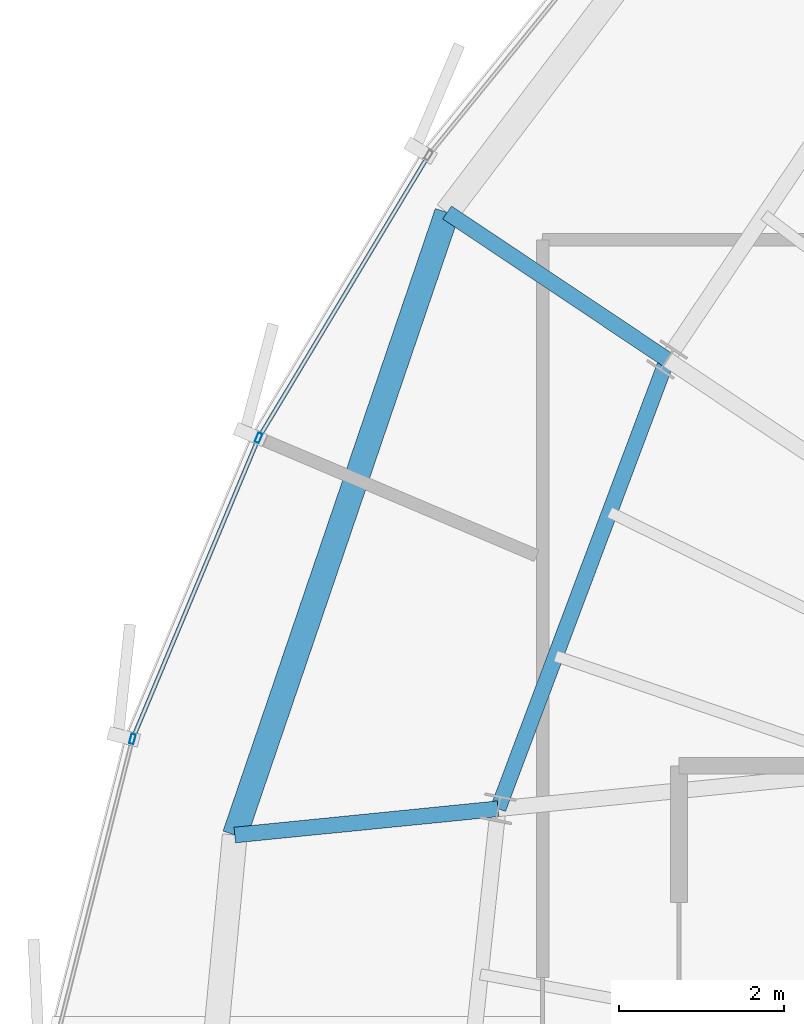
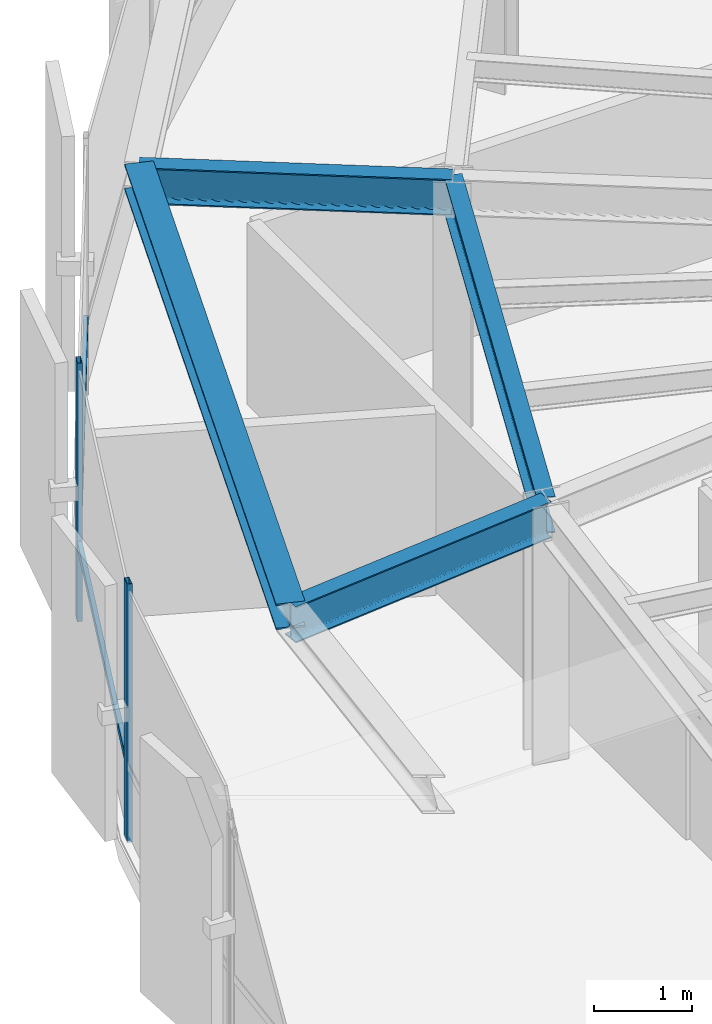
# One storey, part 11 of 33: 4 beams, 4 members, 1 element without a shape of its own.
"""IFC4 building model written with IfcOpenShell, lengths in metres."""

from ifc_helpers import new_model, si_unit, direction, frame, origin, origin_2d, place, context, subcontext, project, spatial, hollow_rectangle, i_section, extrude, source, transform, mapped, material, layer, layer_set, material_profile, profile_set, type_object, element, aggregate, save


model = new_model("IFC4")

# Units and contexts
model_context = context("Model", 3, precision=1e-05, world=origin(), true_north=direction((0.0, 1.0)))
body_context = subcontext(model_context, "Body", "Model", "MODEL_VIEW")
ifc_project = project(units=[si_unit("LENGTHUNIT", "METRE"), si_unit("AREAUNIT", "SQUARE_METRE"), si_unit("VOLUMEUNIT", "CUBIC_METRE"), si_unit("PLANEANGLEUNIT", "RADIAN"), si_unit("MASSUNIT", "GRAM", prefix="KILO"), si_unit("THERMODYNAMICTEMPERATUREUNIT", "KELVIN")], contexts=[model_context])

# Site, building, storey
site_placement = place(None, origin())
site = spatial("IfcSite", under=ifc_project, at=site_placement, CompositionType="ELEMENT")
building_placement = place(site_placement, origin())
building = spatial("IfcBuilding", under=site, at=building_placement, Name="Kethvar Cultural Tower", CompositionType="ELEMENT")
storey_placement = place(building_placement, frame((0.0, 0.0, 256.0)))
storey = spatial("IfcBuildingStorey", under=building, at=storey_placement, Name="L67", CompositionType="ELEMENT", Elevation=256.0)

# Beams
ifc_material_1 = material(Name="Steel S355J2", Category="steel")
ifc_material_profile_1 = material_profile(ifc_material_1, i_section(OverallWidth=0.18994140625, OverallDepth=0.449951171875, WebThickness=0.009521484375, FlangeThickness=0.0146484375, FilletRadius=0.02099609375, at=origin_2d()), Name="Steel S355J2 — IPE450")
ifc_profile_set_1 = profile_set([ifc_material_profile_1], Name="Steel S355J2 — IPE450")
beam_type_1 = type_object("IfcBeamType", Name="BM-IPE450", PredefinedType="BEAM", material=ifc_profile_set_1)
shared_shape_1 = source(origin(), body_context, "Body", "SweptSolid", [
    extrude(i_section(OverallWidth=0.18994140625, OverallDepth=0.449951171875, WebThickness=0.009521484375, FlangeThickness=0.0146484375, FilletRadius=0.02099609375, at=origin_2d()), origin(), (0.0, 0.0, 1.0), 3.2001953125),
])
beam_1_placement = place(storey_placement, frame((32.3125, 30.681884765625, 2.98291015625), z_axis=(-0.995047004836, -0.099405523829, 0.0), x_axis=(0.099405523829, -0.995047004836, 0.0)))
element("IfcBeam", 1, at=beam_1_placement, inside=storey, type_object=beam_type_1, Name="L67 Perimeter Cantilever Beam RC-08", PredefinedType="BEAM", context=body_context, shape_type="MappedRepresentation", body=[
    mapped(shared_shape_1, transform((0.0, 0.0, 0.0), scale=1.0)),
])
shared_shape_2 = source(origin(), body_context, "Body", "SweptSolid", [
    extrude(i_section(OverallWidth=0.18994140625, OverallDepth=0.449951171875, WebThickness=0.009521484375, FlangeThickness=0.0146484375, FilletRadius=0.02099609375, at=origin_2d()), origin(), (0.0, 0.0, 1.0), 3.19970703125),
])
beam_2_placement = place(storey_placement, frame((34.35595703125, 36.114990234375, 2.98291015625), z_axis=(-0.831498187863, 0.55552746429, 0.0), x_axis=(-0.55552746429, -0.831498187863, 0.0)))
element("IfcBeam", 2, at=beam_2_placement, inside=storey, type_object=beam_type_1, Name="L67 Perimeter Cantilever Beam RC-07", PredefinedType="BEAM", context=body_context, shape_type="MappedRepresentation", body=[
    mapped(shared_shape_2, transform((0.0, 0.0, 0.0), scale=1.0)),
])
shared_shape_3 = source(origin(), body_context, "Body", "SweptSolid", [
    extrude(i_section(OverallWidth=0.18994140625, OverallDepth=0.449951171875, WebThickness=0.009521484375, FlangeThickness=0.0146484375, FilletRadius=0.02099609375, at=origin_2d()), origin(), (0.0, 0.0, 1.0), 5.8046875),
])
beam_3_placement = place(storey_placement, frame((34.35595703125, 36.114990234375, 2.98291015625), z_axis=(-0.352035902861, -0.935986497283, 0.0), x_axis=(0.935986497283, -0.352035902861, 0.0)))
element("IfcBeam", 3, at=beam_3_placement, inside=storey, type_object=beam_type_1, Name="L67 Column Ring Tie Beam CR-07", PredefinedType="BEAM", context=body_context, shape_type="MappedRepresentation", body=[
    mapped(shared_shape_3, transform((0.0, 0.0, 0.0), scale=1.0)),
])
ifc_material_profile_2 = material_profile(ifc_material_1, i_section(OverallWidth=0.300048828125, OverallDepth=0.320068359375, WebThickness=0.011474609375, FlangeThickness=0.0205078125, FilletRadius=0.027099609375, at=origin_2d()), Name="Steel S355J2 — HEB320")
ifc_profile_set_2 = profile_set([ifc_material_profile_2], Name="Steel S355J2 — HEB320")
beam_type_2 = type_object("IfcBeamType", Name="BM-SP320", PredefinedType="SPANDREL", material=ifc_profile_set_2)
shared_shape_4 = source(origin(), body_context, "Body", "SweptSolid", [
    extrude(i_section(OverallWidth=0.300048828125, OverallDepth=0.320068359375, WebThickness=0.011474609375, FlangeThickness=0.0205078125, FilletRadius=0.027099609375, at=origin_2d()), origin(), (0.0, 0.0, 1.0), 7.954345703125),
])
beam_4_placement = place(storey_placement, frame((31.6953125, 37.892578125, 3.048095703125), z_axis=(-0.322730170507, -0.946491012659, 0.0), x_axis=(0.946491012659, -0.322730170507, 0.0)))
element("IfcBeam", 4, at=beam_4_placement, inside=storey, type_object=beam_type_2, Name="L67 Perimeter Spandrel Beam SP-07", PredefinedType="SPANDREL", context=body_context, shape_type="MappedRepresentation", body=[
    mapped(shared_shape_4, transform((0.0, 0.0, 0.0), scale=1.0)),
])

# Curtain wall, members
ifc_material_2 = material(Name="Aluminium 6063-T6", Category="aluminium")
ifc_layer = layer(ifc_material_2, 0.179931640625, Name="Aluminium 6063-T6", Category="aluminium")
ifc_layer_set = layer_set([ifc_layer], Name="Aluminium 6063-T6 (180 mm)")
curtain_wall_type = type_object("IfcCurtainWallType", Name="CW-SYS-05-Z56", PredefinedType="NOTDEFINED", material=ifc_layer_set)
curtain_wall_placement = place(storey_placement, origin())
curtain_wall = element("IfcCurtainWall", 5, at=curtain_wall_placement, inside=storey, type_object=curtain_wall_type, Name="L67 Curtain Wall Run 02", PredefinedType="NOTDEFINED")
ifc_material_profile_3 = material_profile(ifc_material_2, hollow_rectangle(XDim=0.054931640625, YDim=0.1201171875, WallThickness=0.00390625, at=origin_2d()), Name="Aluminium 6063-T6 — RHS120x55x4")
ifc_profile_set_3 = profile_set([ifc_material_profile_3], Name="Aluminium 6063-T6 — RHS120x55x4")
member_type_1 = type_object("IfcMemberType", Name="CW-SYS-05-Z56-MUL", PredefinedType="MULLION", material=ifc_profile_set_3)
shared_shape_5 = source(origin(), body_context, "Body", "SweptSolid", [
    extrude(hollow_rectangle(XDim=0.054931640625, YDim=0.1201171875, WallThickness=0.00390625, at=origin_2d()), origin(), (0.0, 0.0, 1.0), 3.2099609375),
])
member_1_placement = place(storey_placement, frame((29.415771484375, 35.165771484375, 0.0), z_axis=(0.0, 0.0, 1.0), x_axis=(0.922470722095, -0.386067049717, 0.0)))
member_1 = element("IfcMember", 6, at=member_1_placement, type_object=member_type_1, Name="CW-L67-R02 Mullion 5", PredefinedType="MULLION", context=body_context, shape_type="MappedRepresentation", body=[
    mapped(shared_shape_5, transform((0.0, 0.0, 0.0), scale=1.0)),
])
member_2_placement = place(storey_placement, frame((27.890869140625, 31.52490234375, 0.0), z_axis=(0.0, 0.0, 1.0), x_axis=(0.969530919263, -0.244968970675, 0.0)))
member_2 = element("IfcMember", 7, at=member_2_placement, type_object=member_type_1, Name="CW-L67-R02 Mullion 6", PredefinedType="MULLION", context=body_context, shape_type="MappedRepresentation", body=[
    mapped(shared_shape_5, transform((0.0, 0.0, 0.0), scale=1.0)),
])
ifc_material_profile_4 = material_profile(ifc_material_2, hollow_rectangle(XDim=0.050048828125, YDim=0.10009765625, WallThickness=0.00390625, at=origin_2d()), Name="Aluminium 6063-T6 — RHS100x50x4")
ifc_profile_set_4 = profile_set([ifc_material_profile_4], Name="Aluminium 6063-T6 — RHS100x50x4")
member_type_2 = type_object("IfcMemberType", Name="CW-SYS-05-Z56-TRN", PredefinedType="USERDEFINED", material=ifc_profile_set_4)
shared_shape_6 = source(origin(), body_context, "Body", "SweptSolid", [
    extrude(hollow_rectangle(XDim=0.050048828125, YDim=0.10009765625, WallThickness=0.00390625, at=origin_2d()), origin(), (0.0, 0.0, 1.0), 3.922119140625),
])
member_3_placement = place(storey_placement, frame((31.44970703125, 38.548828125, 0.949951171875), z_axis=(-0.515017422065, -0.857179709845, 0.0), x_axis=(0.857179709845, -0.515017422065, 0.0)))
member_3 = element("IfcMember", 8, at=member_3_placement, type_object=member_type_2, Name="CW-L67-R02 Transom 4", ObjectType="TRANSOM", PredefinedType="USERDEFINED", context=body_context, shape_type="MappedRepresentation", body=[
    mapped(shared_shape_6, transform((0.0, 0.0, 0.0), scale=1.0)),
])
shared_shape_7 = source(origin(), body_context, "Body", "SweptSolid", [
    extrude(hollow_rectangle(XDim=0.050048828125, YDim=0.10009765625, WallThickness=0.00390625, at=origin_2d()), origin(), (0.0, 0.0, 1.0), 3.883056640625),
])
member_4_placement = place(storey_placement, frame((29.400634765625, 35.129150390625, 0.949951171875), z_axis=(-0.386097031422, -0.922458173755, 0.0), x_axis=(0.922458173755, -0.386097031422, 0.0)))
member_4 = element("IfcMember", 9, at=member_4_placement, type_object=member_type_2, Name="CW-L67-R02 Transom 5", ObjectType="TRANSOM", PredefinedType="USERDEFINED", context=body_context, shape_type="MappedRepresentation", body=[
    mapped(shared_shape_7, transform((0.0, 0.0, 0.0), scale=1.0)),
])
aggregate(curtain_wall, [member_1, member_2, member_3, member_4])

save(model, "model.ifc")
